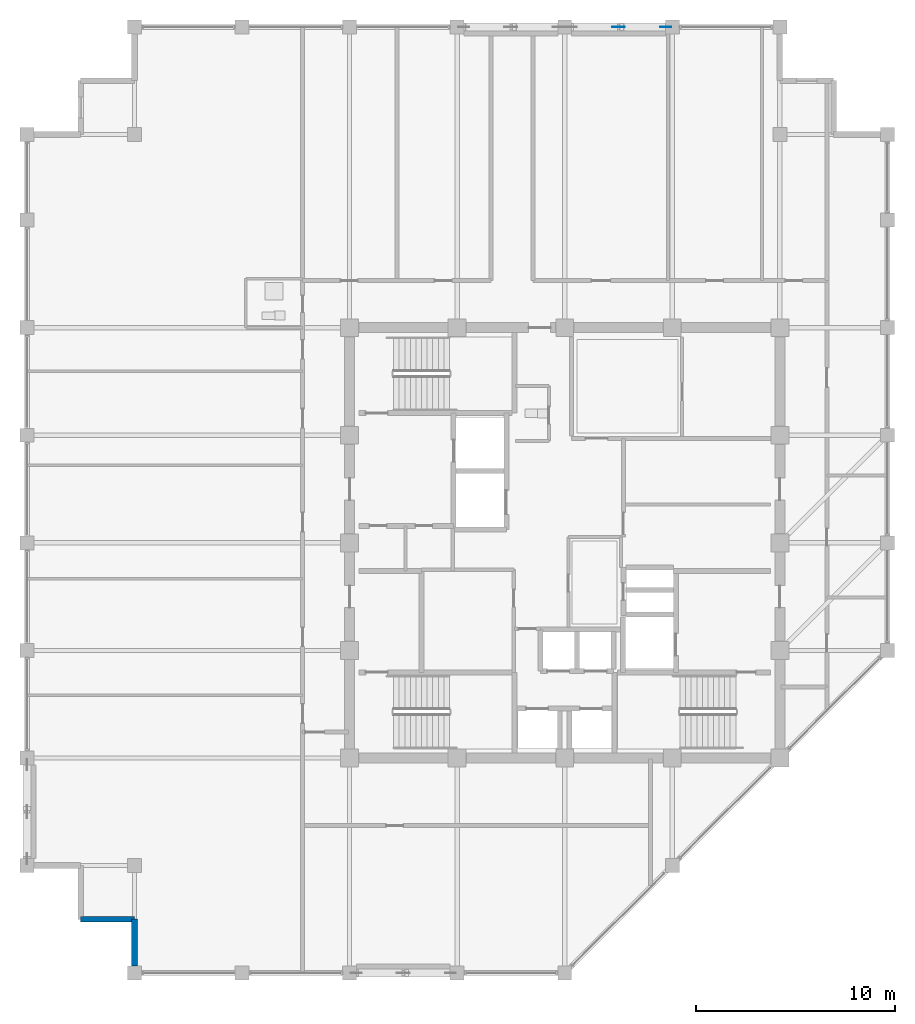
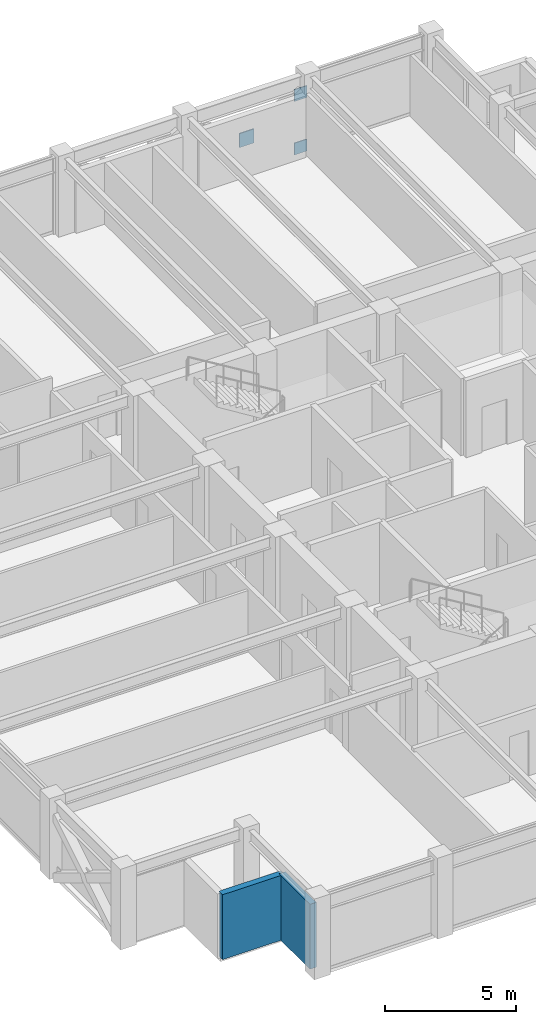
# One storey, part 25 of 31: 3 plates, 2 walls.
"""IFC4 building model written with IfcOpenShell, lengths in metres."""

from ifc_helpers import new_model, si_unit, direction, frame, frame_2d, origin, origin_2d, place, context, subcontext, project, spatial, rectangle, extrude, material, layer, layer_set, type_object, element, save


model = new_model("IFC4")

# Units and contexts
model_context = context("Model", 3, precision=1e-05, world=origin(), true_north=direction((0.0, 1.0)))
body_context = subcontext(model_context, "Body", "Model", "MODEL_VIEW")
ifc_project = project(units=[si_unit("LENGTHUNIT", "METRE"), si_unit("AREAUNIT", "SQUARE_METRE"), si_unit("VOLUMEUNIT", "CUBIC_METRE"), si_unit("PLANEANGLEUNIT", "RADIAN"), si_unit("MASSUNIT", "GRAM", prefix="KILO")], contexts=[model_context])

# Site, building, storey
site_placement = place(None, origin())
site = spatial("IfcSite", under=ifc_project, at=site_placement, CompositionType="ELEMENT")
building_placement = place(site_placement, origin())
building = spatial("IfcBuilding", under=site, at=building_placement, Name="Surkhivell Harbour Commons", CompositionType="ELEMENT")
storey_placement = place(building_placement, frame((0.0, 0.0, 288.75)))
storey = spatial("IfcBuildingStorey", under=building, at=storey_placement, Name="L75", CompositionType="ELEMENT", Elevation=288.75)

# Plates
ifc_material_1 = material(Name="Steel S460", Category="steel")
ifc_layer_1 = layer(ifc_material_1, 0.035888671875)
ifc_layer_set_1 = layer_set([ifc_layer_1], Name="Steel S460")
plate_type_1 = type_object("IfcPlateType", Name="PLT-GUS-550", PredefinedType="USERDEFINED", material=ifc_layer_set_1)
for number, where, z_axis, x_axis, name in (
    (1, (5.06494140625, 25.89990234375, -0.07470703125), (0.0, 0.0, 1.0), (1.0, 0.0, 0.0), "L75 Perimeter Mega-Brace MB- Corner Gusset N2-2"),
    (2, (5.06494140625, 25.89990234375, 2.41357421875), (0.0, 0.0, 1.0), (1.0, 0.0, 0.0), "L75 Perimeter Mega-Brace MB- Corner Gusset N2-4"),
):
    element("IfcPlate", number, at=place(storey_placement, frame(where, z_axis=z_axis, x_axis=x_axis)), inside=storey, type_object=plate_type_1, Name=name, ObjectType="GUSSET_PLATE", PredefinedType="USERDEFINED", context=body_context, shape_type="SweptSolid", body=[
        extrude(rectangle(XDim=0.550048828125, YDim=0.035888671875, at=origin_2d()), origin(), (0.0, 0.0, 1.0), 0.550048828125),
    ])
ifc_layer_2 = layer(ifc_material_1, 0.044921875)
ifc_layer_set_2 = layer_set([ifc_layer_2], Name="Steel S460")
plate_type_2 = type_object("IfcPlateType", Name="PLT-GUS-650", PredefinedType="USERDEFINED", material=ifc_layer_set_2)
plate_placement = place(storey_placement, frame((2.699951171875, 25.89990234375, 1.11962890625), z_axis=(0.0, 0.0, 1.0), x_axis=(1.0, 0.0, 0.0)))
element("IfcPlate", 3, at=plate_placement, inside=storey, type_object=plate_type_2, Name="L75 Perimeter Mega-Brace MB- Central Crossing Gusset N2", ObjectType="GUSSET_PLATE", PredefinedType="USERDEFINED", context=body_context, shape_type="SweptSolid", body=[
    extrude(rectangle(XDim=0.64990234375, YDim=0.044921875, at=origin_2d()), origin(), (0.0, 0.0, 1.0), 0.64990234375),
])

# Walls
ifc_material_2 = material(Name="Terracotta-clad reinforced concrete C45/55", Category="masonry")
ifc_layer_3 = layer(ifc_material_2, 0.280029296875)
ifc_layer_set_3 = layer_set([ifc_layer_3], Name="Terracotta-clad reinforced concrete C45/55")
wall_type = type_object("IfcWallType", Name="WAL-EXT-TER280", PredefinedType="STANDARD", material=ifc_layer_set_3)
wall_1_placement = place(storey_placement, frame((-24.300048828125, -18.89990234375, 0.0), z_axis=(0.0, 0.0, 1.0), x_axis=(1.0, 0.0, 0.0)))
element("IfcWall", 4, at=wall_1_placement, inside=storey, type_object=wall_type, Name="L75 Serrated Corner Facade Wall 15", PredefinedType="STANDARD", context=body_context, shape_type="SweptSolid", body=[
    extrude(rectangle(XDim=2.699951171875, YDim=0.280029296875, at=frame_2d((1.35009765625, 0.0))), origin(), (0.0, 0.0, 1.0), 3.012939453125),
])
wall_2_placement = place(storey_placement, frame((-21.60009765625, -18.89990234375, 0.0), z_axis=(0.0, 0.0, 1.0), x_axis=(0.0, -1.0, 0.0)))
element("IfcWall", 5, at=wall_2_placement, inside=storey, type_object=wall_type, Name="L75 Serrated Corner Facade Wall 16", PredefinedType="STANDARD", context=body_context, shape_type="SweptSolid", body=[
    extrude(rectangle(XDim=2.35205078125, YDim=0.280029296875, at=frame_2d((1.176025390625, 0.0))), origin(), (0.0, 0.0, 1.0), 3.012939453125),
])

save(model, "model.ifc")
